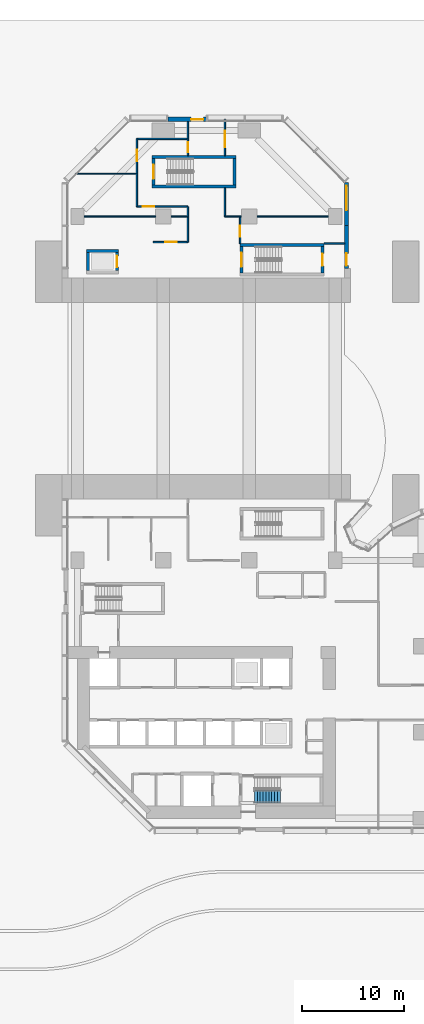
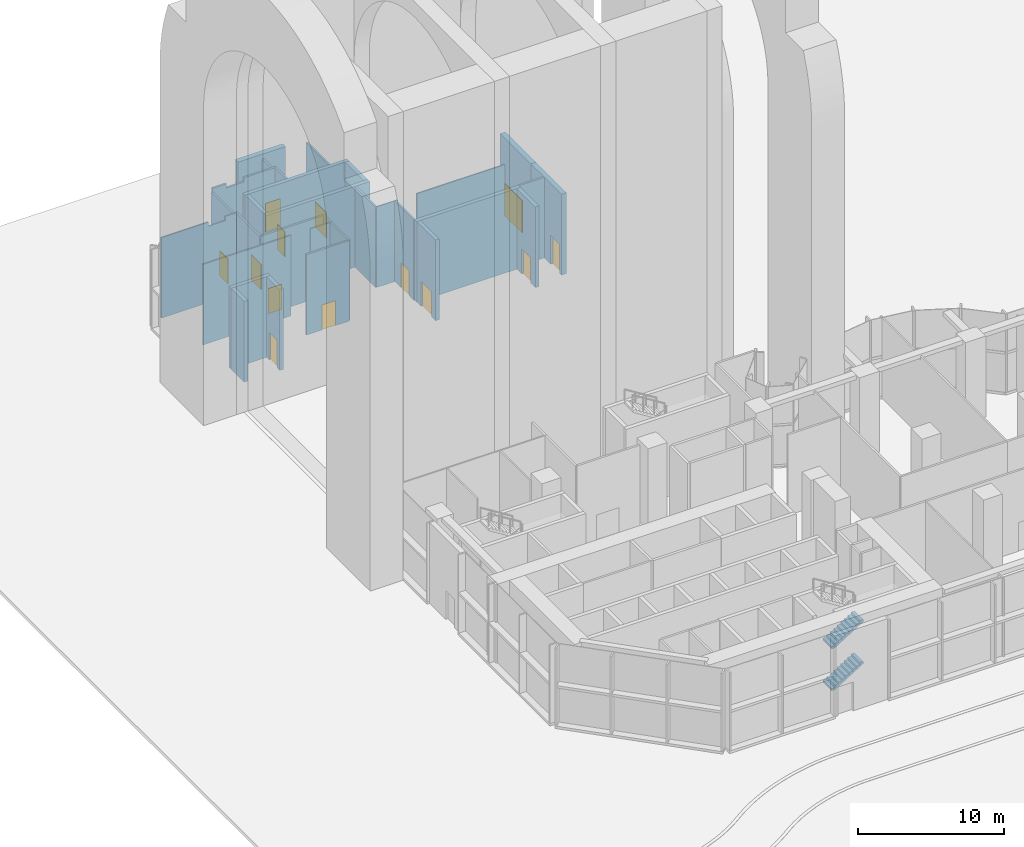
# One storey, part 13 of 21: 31 walls, 13 doors, 2 stair flights, 13 openings, 1 element without a shape of its own.
"""IFC4 building model written with IfcOpenShell, lengths in metres."""

from ifc_helpers import new_model, si_unit, direction, frame, frame_2d, origin, place, context, subcontext, project, spatial, polyline, rectangle, outline, extrude, material, layer, layer_set, type_object, element, fill, aggregate, save


model = new_model("IFC4")

# Units and contexts
model_context = context("Model", 3, precision=1e-05, world=origin(), true_north=direction((0.0, 1.0)))
body_context = subcontext(model_context, "Body", "Model", "MODEL_VIEW")
ifc_project = project(units=[si_unit("LENGTHUNIT", "METRE"), si_unit("AREAUNIT", "SQUARE_METRE"), si_unit("VOLUMEUNIT", "CUBIC_METRE"), si_unit("PLANEANGLEUNIT", "RADIAN"), si_unit("MASSUNIT", "GRAM", prefix="KILO")], contexts=[model_context])

# Site, building, storey
site_placement = place(None, origin())
site = spatial("IfcSite", under=ifc_project, at=site_placement, CompositionType="ELEMENT")
building_placement = place(site_placement, origin())
building = spatial("IfcBuilding", under=site, at=building_placement, Name="Brevane Broadcast Tower", CompositionType="ELEMENT")
storey_placement = place(building_placement, origin())
storey = spatial("IfcBuildingStorey", under=building, at=storey_placement, Name="L00", CompositionType="ELEMENT", Elevation=0.0)

# Walls
ifc_material_1 = material(Name="Concrete C80/95", Category="concrete")
ifc_layer_1 = layer(ifc_material_1, 0.300048828125)
ifc_layer_set_1 = layer_set([ifc_layer_1], Name="Core wall 300 mm C80/95")
wall_type_1 = type_object("IfcWallType", Name="Core wall 300 mm C80/95", PredefinedType="SHEAR", material=ifc_layer_set_1)
wall_1_placement = place(storey_placement, frame((0.89990234375, 55.449951171875, 0.0), z_axis=(0.0, 0.0, 1.0), x_axis=(1.0, 0.0, 0.0)))
element("IfcWall", 1, at=wall_1_placement, inside=storey, type_object=wall_type_1, Name="L00 shaft wall PL1-N", PredefinedType="SHEAR", context=body_context, shape_type="SweptSolid", body=[
    extrude(rectangle(XDim=3.10009765625, YDim=0.300048828125, at=frame_2d((1.550048828125, 0.0))), origin(), (0.0, 0.0, 1.0), 6.75),
])
wall_2_placement = place(storey_placement, frame((1.050048828125, 53.5, 0.0), z_axis=(0.0, 0.0, 1.0), x_axis=(0.0, 1.0, 0.0)))
element("IfcWall", 2, at=wall_2_placement, inside=storey, type_object=wall_type_1, Name="L00 shaft wall PL1-W", PredefinedType="SHEAR", context=body_context, shape_type="SweptSolid", body=[
    extrude(rectangle(XDim=1.800048828125, YDim=0.300048828125, at=frame_2d((0.89990234375, 0.0))), origin(), (0.0, 0.0, 1.0), 6.75),
])

# Wall, opening, door
wall_3_placement = place(storey_placement, frame((3.85009765625, 53.5, 0.0), z_axis=(0.0, 0.0, 1.0), x_axis=(0.0, 1.0, 0.0)))
wall_3 = element("IfcWall", 3, at=wall_3_placement, inside=storey, type_object=wall_type_1, Name="L00 shaft wall PL1-E", PredefinedType="SHEAR", context=body_context, shape_type="SweptSolid", body=[
    extrude(rectangle(XDim=1.800048828125, YDim=0.300048828125, at=frame_2d((0.89990234375, 0.0))), origin(), (0.0, 0.0, 1.0), 6.75),
])
opening_1_placement = place(wall_3_placement, frame((0.35009765625, 0.0, 0.0)))
opening_1 = element("IfcOpeningElement", 4, at=opening_1_placement, cuts=wall_3, Name="Opening LD", PredefinedType="OPENING", context=body_context, shape_type="SweptSolid", body=[
    extrude(rectangle(XDim=1.10009765625, YDim=2.300048828125, at=frame_2d((0.550048828125, 1.14990234375))), frame((0.0, 0.159912109375, 0.0), z_axis=(0.0, -1.0, 0.0), x_axis=(1.0, 0.0, 0.0)), (0.0, 0.0, 1.0), 0.320068359375),
])
ifc_material_2 = material(Name="Stainless steel", Category="steel")
door_type_1 = type_object("IfcDoorType", Name="Lift landing door", OperationType="SLIDING_TO_LEFT", PredefinedType="DOOR", material=ifc_material_2)
door_1_placement = place(opening_1_placement, origin())
door_1 = element("IfcDoor", 5, at=door_1_placement, inside=storey, type_object=door_type_1, Name="Landing door PL1 L00", OperationType="SLIDING_TO_LEFT", OverallHeight=2.300048828125, OverallWidth=1.10009765625, PredefinedType="DOOR", context=body_context, shape_type="SweptSolid", body=[
    extrude(rectangle(XDim=1.10009765625, YDim=2.300048828125, at=frame_2d((0.550048828125, 1.14990234375))), frame((0.0, 0.02490234375, 0.0), z_axis=(0.0, -1.0, 0.0), x_axis=(1.0, 0.0, 0.0)), (0.0, 0.0, 1.0), 0.050048828125),
])
fill(opening_1, door_1)

# Wall
wall_4_placement = place(storey_placement, frame((15.89990234375, 56.0, 0.0), z_axis=(0.0, 0.0, 1.0), x_axis=(1.0, 0.0, 0.0)))
element("IfcWall", 6, at=wall_4_placement, inside=storey, type_object=wall_type_1, Name="L00 stair wall ST-5-N", PredefinedType="SHEAR", context=body_context, shape_type="SweptSolid", body=[
    extrude(rectangle(XDim=8.2001953125, YDim=0.300048828125, at=frame_2d((4.10009765625, 0.0))), origin(), (0.0, 0.0, 1.0), 6.75),
])

# Wall, opening, door
wall_5_placement = place(storey_placement, frame((16.050048828125, 53.300048828125, 0.0), z_axis=(0.0, 0.0, 1.0), x_axis=(0.0, 1.0, 0.0)))
wall_5 = element("IfcWall", 7, at=wall_5_placement, inside=storey, type_object=wall_type_1, Name="L00 stair wall ST-5-W", PredefinedType="SHEAR", context=body_context, shape_type="SweptSolid", body=[
    extrude(rectangle(XDim=2.550048828125, YDim=0.300048828125, at=frame_2d((1.27490234375, 0.0))), origin(), (0.0, 0.0, 1.0), 6.75),
])
opening_2_placement = place(wall_5_placement, frame((0.574951171875, 0.0, 0.0)))
opening_2 = element("IfcOpeningElement", 8, at=opening_2_placement, cuts=wall_5, Name="Opening L00-K21", PredefinedType="OPENING", context=body_context, shape_type="SweptSolid", body=[
    extrude(rectangle(XDim=1.39990234375, YDim=2.10009765625, at=frame_2d((0.699951171875, 1.050048828125))), frame((0.0, 0.159912109375, 0.0), z_axis=(0.0, -1.0, 0.0), x_axis=(1.0, 0.0, 0.0)), (0.0, 0.0, 1.0), 0.320068359375),
])
ifc_material_3 = material(Name="Steel", Category="steel")
door_type_2 = type_object("IfcDoorType", Name="Stair door 1400 x 2100", OperationType="SINGLE_SWING_LEFT", PredefinedType="DOOR", material=ifc_material_3)
door_2_placement = place(opening_2_placement, origin())
door_2 = element("IfcDoor", 9, at=door_2_placement, inside=storey, type_object=door_type_2, Name="Door L00-K21", OperationType="SINGLE_SWING_RIGHT", OverallHeight=2.10009765625, OverallWidth=1.39990234375, PredefinedType="DOOR", context=body_context, shape_type="SweptSolid", body=[
    extrude(rectangle(XDim=1.39990234375, YDim=2.10009765625, at=frame_2d((0.699951171875, 1.050048828125))), frame((0.0, 0.02490234375, 0.0), z_axis=(0.0, -1.0, 0.0), x_axis=(1.0, 0.0, 0.0)), (0.0, 0.0, 1.0), 0.050048828125),
])
fill(opening_2, door_2)

wall_6_placement = place(storey_placement, frame((23.949951171875, 55.85009765625, 0.0), z_axis=(0.0, 0.0, 1.0), x_axis=(0.0, -1.0, 0.0)))
wall_6 = element("IfcWall", 10, at=wall_6_placement, inside=storey, type_object=wall_type_1, Name="L00 stair wall ST-5-E", PredefinedType="SHEAR", context=body_context, shape_type="SweptSolid", body=[
    extrude(rectangle(XDim=2.550048828125, YDim=0.300048828125, at=frame_2d((1.27490234375, 0.0))), origin(), (0.0, 0.0, 1.0), 6.75),
])
opening_3_placement = place(wall_6_placement, frame((0.675048828125, 0.0, 0.0)))
opening_3 = element("IfcOpeningElement", 11, at=opening_3_placement, cuts=wall_6, Name="Opening L00-K22", PredefinedType="OPENING", context=body_context, shape_type="SweptSolid", body=[
    extrude(rectangle(XDim=1.199951171875, YDim=2.10009765625, at=frame_2d((0.60009765625, 1.050048828125))), frame((0.0, 0.159912109375, 0.0), z_axis=(0.0, -1.0, 0.0), x_axis=(1.0, 0.0, 0.0)), (0.0, 0.0, 1.0), 0.320068359375),
])
door_type_3 = type_object("IfcDoorType", Name="Stair door 1200 x 2100", OperationType="SINGLE_SWING_LEFT", PredefinedType="DOOR", material=ifc_material_3)
door_3_placement = place(opening_3_placement, origin())
door_3 = element("IfcDoor", 12, at=door_3_placement, inside=storey, type_object=door_type_3, Name="Door L00-K22", OperationType="SINGLE_SWING_LEFT", OverallHeight=2.10009765625, OverallWidth=1.199951171875, PredefinedType="DOOR", context=body_context, shape_type="SweptSolid", body=[
    extrude(rectangle(XDim=1.199951171875, YDim=2.10009765625, at=frame_2d((0.60009765625, 1.050048828125))), frame((0.0, 0.02490234375, 0.0), z_axis=(0.0, -1.0, 0.0), x_axis=(1.0, 0.0, 0.0)), (0.0, 0.0, 1.0), 0.050048828125),
])
fill(opening_3, door_3)

# Walls
for number, where, z_axis, x_axis, name in (
    (13, (7.300048828125, 61.75, 0.0), (0.0, 0.0, 1.0), (1.0, 0.0, 0.0), "L00 stair wall ST-6-S"),
    (14, (7.300048828125, 64.60009765625, 0.0), (0.0, 0.0, 1.0), (1.0, 0.0, 0.0), "L00 stair wall ST-6-N"),
):
    element("IfcWall", number, at=place(storey_placement, frame(where, z_axis=z_axis, x_axis=x_axis)), inside=storey, type_object=wall_type_1, Name=name, PredefinedType="SHEAR", context=body_context, shape_type="SweptSolid", body=[
        extrude(rectangle(XDim=8.199951171875, YDim=0.300048828125, at=frame_2d((4.10009765625, 0.0))), origin(), (0.0, 0.0, 1.0), 6.75),
    ])

# Wall, opening, door
wall_7_placement = place(storey_placement, frame((7.449951171875, 61.89990234375, 0.0), z_axis=(0.0, 0.0, 1.0), x_axis=(0.0, 1.0, 0.0)))
wall_7 = element("IfcWall", 15, at=wall_7_placement, inside=storey, type_object=wall_type_1, Name="L00 stair wall ST-6-W", PredefinedType="SHEAR", context=body_context, shape_type="SweptSolid", body=[
    extrude(rectangle(XDim=2.550048828125, YDim=0.300048828125, at=frame_2d((1.27490234375, 0.0))), origin(), (0.0, 0.0, 1.0), 6.75),
])
opening_4_placement = place(wall_7_placement, frame((0.574951171875, 0.0, 0.0)))
opening_4 = element("IfcOpeningElement", 16, at=opening_4_placement, cuts=wall_7, Name="Opening L00-K23", PredefinedType="OPENING", context=body_context, shape_type="SweptSolid", body=[
    extrude(rectangle(XDim=1.39990234375, YDim=2.10009765625, at=frame_2d((0.699951171875, 1.050048828125))), frame((0.0, 0.159912109375, 0.0), z_axis=(0.0, -1.0, 0.0), x_axis=(1.0, 0.0, 0.0)), (0.0, 0.0, 1.0), 0.320068359375),
])
door_4_placement = place(opening_4_placement, origin())
door_4 = element("IfcDoor", 17, at=door_4_placement, inside=storey, type_object=door_type_2, Name="Door L00-K23", OperationType="SINGLE_SWING_RIGHT", OverallHeight=2.10009765625, OverallWidth=1.39990234375, PredefinedType="DOOR", context=body_context, shape_type="SweptSolid", body=[
    extrude(rectangle(XDim=1.39990234375, YDim=2.10009765625, at=frame_2d((0.699951171875, 1.050048828125))), frame((0.0, 0.02490234375, 0.0), z_axis=(0.0, -1.0, 0.0), x_axis=(1.0, 0.0, 0.0)), (0.0, 0.0, 1.0), 0.050048828125),
])
fill(opening_4, door_4)

# Wall
wall_8_placement = place(storey_placement, frame((15.35009765625, 61.89990234375, 0.0), z_axis=(0.0, 0.0, 1.0), x_axis=(0.0, 1.0, 0.0)))
element("IfcWall", 18, at=wall_8_placement, inside=storey, type_object=wall_type_1, Name="L00 stair wall ST-6-E", PredefinedType="SHEAR", context=body_context, shape_type="SweptSolid", body=[
    extrude(rectangle(XDim=2.550048828125, YDim=0.300048828125, at=frame_2d((1.27490234375, 0.0))), origin(), (0.0, 0.0, 1.0), 6.75),
])

# Wall, opening, door
ifc_material_4 = material(Name="Concrete C40/50", Category="concrete")
ifc_layer_2 = layer(ifc_material_4, 0.39990234375)
ifc_layer_set_2 = layer_set([ifc_layer_2], Name="Entrance portal wall 400")
wall_type_2 = type_object("IfcWallType", Name="Entrance portal wall 400", PredefinedType="SOLIDWALL", material=ifc_layer_set_2)
wall_9_placement = place(storey_placement, frame((26.300048828125, 62.10009765625, 0.0), z_axis=(0.0, 0.0, 1.0), x_axis=(0.0, -1.0, 0.0)))
wall_9 = element("IfcWall", 19, at=wall_9_placement, inside=storey, type_object=wall_type_2, Name="Portal wall studio entrance", PredefinedType="SOLIDWALL", context=body_context, shape_type="SweptSolid", body=[
    extrude(rectangle(XDim=4.2001953125, YDim=0.39990234375, at=frame_2d((2.10009765625, 0.0))), origin(), (0.0, 0.0, 1.0), 6.75),
])
opening_5_placement = place(wall_9_placement, frame((0.300048828125, 0.0, 0.0)))
opening_5 = element("IfcOpeningElement", 20, at=opening_5_placement, cuts=wall_9, Name="Opening EX07", PredefinedType="OPENING", context=body_context, shape_type="SweptSolid", body=[
    extrude(rectangle(XDim=2.39990234375, YDim=2.699951171875, at=frame_2d((1.199951171875, 1.35009765625))), frame((0.0, 0.2099609375, 0.0), z_axis=(0.0, -1.0, 0.0), x_axis=(1.0, 0.0, 0.0)), (0.0, 0.0, 1.0), 0.419921875),
])
ifc_material_5 = material(Name="Aluminium bronze anodised and laminated glass", Category="aluminium")
door_type_4 = type_object("IfcDoorType", Name="Studio entrance door 2400x2700", OperationType="DOUBLE_DOOR_SINGLE_SWING", PredefinedType="DOOR", material=ifc_material_5)
door_5_placement = place(opening_5_placement, origin())
door_5 = element("IfcDoor", 21, at=door_5_placement, inside=storey, type_object=door_type_4, Name="Studio entrance", OperationType="DOUBLE_DOOR_SINGLE_SWING", OverallHeight=2.699951171875, OverallWidth=2.39990234375, PredefinedType="DOOR", context=body_context, shape_type="SweptSolid", body=[
    extrude(rectangle(XDim=2.39990234375, YDim=2.699951171875, at=frame_2d((1.199951171875, 1.35009765625))), frame((0.0, 0.02490234375, 0.0), z_axis=(0.0, -1.0, 0.0), x_axis=(1.0, 0.0, 0.0)), (0.0, 0.0, 1.0), 0.050048828125),
])
fill(opening_5, door_5)

wall_10_placement = place(storey_placement, frame((26.300048828125, 57.89990234375, 0.0), z_axis=(0.0, 0.0, 1.0), x_axis=(0.0, -1.0, 0.0)))
wall_10 = element("IfcWall", 22, at=wall_10_placement, inside=storey, type_object=wall_type_2, Name="Portal wall stair exit", PredefinedType="SOLIDWALL", context=body_context, shape_type="SweptSolid", body=[
    extrude(rectangle(XDim=4.199951171875, YDim=0.39990234375, at=frame_2d((2.10009765625, 0.0))), origin(), (0.0, 0.0, 1.0), 6.75),
])
opening_6_placement = place(wall_10_placement, frame((2.699951171875, 0.0, 0.0)))
opening_6 = element("IfcOpeningElement", 23, at=opening_6_placement, cuts=wall_10, Name="Opening EX08", PredefinedType="OPENING", context=body_context, shape_type="SweptSolid", body=[
    extrude(rectangle(XDim=1.199951171875, YDim=2.39990234375, at=frame_2d((0.60009765625, 1.199951171875))), frame((0.0, 0.2099609375, 0.0), z_axis=(0.0, -1.0, 0.0), x_axis=(1.0, 0.0, 0.0)), (0.0, 0.0, 1.0), 0.419921875),
])
door_type_5 = type_object("IfcDoorType", Name="Stair exit door 1200x2400", OperationType="SINGLE_SWING_LEFT", PredefinedType="DOOR", material=ifc_material_5)
door_6_placement = place(opening_6_placement, origin())
door_6 = element("IfcDoor", 24, at=door_6_placement, inside=storey, type_object=door_type_5, Name="Stair exit", OperationType="SINGLE_SWING_LEFT", OverallHeight=2.39990234375, OverallWidth=1.199951171875, PredefinedType="DOOR", context=body_context, shape_type="SweptSolid", body=[
    extrude(rectangle(XDim=1.199951171875, YDim=2.39990234375, at=frame_2d((0.60009765625, 1.199951171875))), frame((0.0, 0.02490234375, 0.0), z_axis=(0.0, -1.0, 0.0), x_axis=(1.0, 0.0, 0.0)), (0.0, 0.0, 1.0), 0.050048828125),
])
fill(opening_6, door_6)

wall_11_placement = place(storey_placement, frame((8.85009765625, 68.300048828125, 0.0), z_axis=(0.0, 0.0, 1.0), x_axis=(1.0, 0.0, 0.0)))
wall_11 = element("IfcWall", 25, at=wall_11_placement, inside=storey, type_object=wall_type_2, Name="Portal wall stair exit", PredefinedType="SOLIDWALL", context=body_context, shape_type="SweptSolid", body=[
    extrude(rectangle(XDim=3.75, YDim=0.39990234375, at=frame_2d((1.875, 0.0))), origin(), (0.0, 0.0, 1.0), 6.75),
])
opening_7_placement = place(wall_11_placement, frame((2.25, 0.0, 0.0)))
opening_7 = element("IfcOpeningElement", 26, at=opening_7_placement, cuts=wall_11, Name="Opening EX09", PredefinedType="OPENING", context=body_context, shape_type="SweptSolid", body=[
    extrude(rectangle(XDim=1.199951171875, YDim=2.39990234375, at=frame_2d((0.60009765625, 1.199951171875))), frame((0.0, 0.2099609375, 0.0), z_axis=(0.0, -1.0, 0.0), x_axis=(1.0, 0.0, 0.0)), (0.0, 0.0, 1.0), 0.419921875),
])
door_7_placement = place(opening_7_placement, origin())
door_7 = element("IfcDoor", 27, at=door_7_placement, inside=storey, type_object=door_type_5, Name="Stair exit", OperationType="SINGLE_SWING_LEFT", OverallHeight=2.39990234375, OverallWidth=1.199951171875, PredefinedType="DOOR", context=body_context, shape_type="SweptSolid", body=[
    extrude(rectangle(XDim=1.199951171875, YDim=2.39990234375, at=frame_2d((0.60009765625, 1.199951171875))), frame((0.0, 0.02490234375, 0.0), z_axis=(0.0, -1.0, 0.0), x_axis=(1.0, 0.0, 0.0)), (0.0, 0.0, 1.0), 0.050048828125),
])
fill(opening_7, door_7)

# Walls
ifc_material_6 = material(Name="Gypsum board partition")
ifc_layer_3 = layer(ifc_material_6, 0.10009765625)
ifc_layer_set_3 = layer_set([ifc_layer_3], Name="PARTITION 100 STUD")
wall_type_3 = type_object("IfcWallType", Name="PARTITION 100 STUD", PredefinedType="PARTITIONING", material=ifc_layer_set_3)
wall_12_placement = place(storey_placement, frame((0.669921875, 58.800048828125, 0.0), z_axis=(0.0, 0.0, 1.0), x_axis=(1.0, 0.0, 0.0)))
element("IfcWall", 28, at=wall_12_placement, inside=storey, type_object=wall_type_3, Name="Partition P0-054", PredefinedType="PARTITIONING", context=body_context, shape_type="SweptSolid", body=[
    extrude(rectangle(XDim=6.9599609375, YDim=0.10009765625, at=frame_2d((3.47998046875, 0.0))), origin(), (0.0, 0.0, 1.0), 6.72998046875),
])
wall_13_placement = place(storey_placement, frame((9.169921875, 58.800048828125, 0.0), z_axis=(0.0, 0.0, 1.0), x_axis=(1.0, 0.0, 0.0)))
element("IfcWall", 29, at=wall_13_placement, inside=storey, type_object=wall_type_3, Name="Partition P0-055", PredefinedType="PARTITIONING", context=body_context, shape_type="SweptSolid", body=[
    extrude(rectangle(XDim=1.630126953125, YDim=0.10009765625, at=frame_2d((0.81494140625, 0.0))), origin(), (0.0, 0.0, 1.0), 6.72998046875),
])
wall_14_placement = place(storey_placement, frame((-0.199951171875, 63.0, 0.0), z_axis=(0.0, 0.0, 1.0), x_axis=(1.0, 0.0, 0.0)))
element("IfcWall", 30, at=wall_14_placement, inside=storey, type_object=wall_type_3, Name="Partition P0-056", PredefinedType="PARTITIONING", context=body_context, shape_type="SweptSolid", body=[
    extrude(outline(polyline([(0.0, 0.0), (6.0, 0.0), (6.0, 6.72998046875), (5.065673828125, 6.72998046875), (5.063720703125, 6.3798828125), (3.736328125, 6.3798828125), (3.734375, 6.72998046875), (0.0, 6.72998046875), (0.0, 0.0)])), frame((0.0, 0.050048828125, 0.0), z_axis=(0.0, -1.0, 0.0), x_axis=(1.0, 0.0, 0.0)), (0.0, 0.0, 1.0), 0.10009765625),
])
wall_15_placement = place(storey_placement, frame((14.39990234375, 58.800048828125, 0.0), z_axis=(0.0, 0.0, 1.0), x_axis=(1.0, 0.0, 0.0)))
element("IfcWall", 31, at=wall_15_placement, inside=storey, type_object=wall_type_3, Name="Partition P0-058", PredefinedType="PARTITIONING", context=body_context, shape_type="SweptSolid", body=[
    extrude(rectangle(XDim=1.630126953125, YDim=0.10009765625, at=frame_2d((0.81494140625, 0.0))), origin(), (0.0, 0.0, 1.0), 6.72998046875),
])
wall_16_placement = place(storey_placement, frame((17.570068359375, 58.800048828125, 0.0), z_axis=(0.0, 0.0, 1.0), x_axis=(1.0, 0.0, 0.0)))
element("IfcWall", 32, at=wall_16_placement, inside=storey, type_object=wall_type_3, Name="Partition P0-059", PredefinedType="PARTITIONING", context=body_context, shape_type="SweptSolid", body=[
    extrude(rectangle(XDim=6.9599609375, YDim=0.10009765625, at=frame_2d((3.47998046875, 0.0))), origin(), (0.0, 0.0, 1.0), 6.72998046875),
])
ifc_layer_4 = layer(ifc_material_6, 0.14990234375)
ifc_layer_set_4 = layer_set([ifc_layer_4], Name="PARTITION 150 EI 60")
wall_type_4 = type_object("IfcWallType", Name="PARTITION 150 EI 60", PredefinedType="PARTITIONING", material=ifc_layer_set_4)
wall_17_placement = place(storey_placement, frame((24.10009765625, 56.14990234375, 0.0), z_axis=(0.0, 0.0, 1.0), x_axis=(1.0, 0.0, 0.0)))
element("IfcWall", 33, at=wall_17_placement, inside=storey, type_object=wall_type_4, Name="Partition P0-001", PredefinedType="PARTITIONING", context=body_context, shape_type="SweptSolid", body=[
    extrude(rectangle(XDim=2.0, YDim=0.14990234375, at=frame_2d((1.0, 0.0))), origin(), (0.0, 0.0, 1.0), 6.72998046875),
])
wall_18_placement = place(storey_placement, frame((10.800048828125, 56.300048828125, 0.0), z_axis=(0.0, 0.0, 1.0), x_axis=(0.0, 1.0, 0.0)))
element("IfcWall", 34, at=wall_18_placement, inside=storey, type_object=wall_type_4, Name="Partition P0-040", PredefinedType="PARTITIONING", context=body_context, shape_type="SweptSolid", body=[
    extrude(rectangle(XDim=2.5, YDim=0.14990234375, at=frame_2d((1.25, 0.0))), origin(), (0.0, 0.0, 1.0), 6.72998046875),
])

# Wall, opening, door
wall_19_placement = place(storey_placement, frame((15.89990234375, 58.800048828125, 0.0), z_axis=(0.0, 0.0, 1.0), x_axis=(0.0, -1.0, 0.0)))
wall_19 = element("IfcWall", 35, at=wall_19_placement, inside=storey, type_object=wall_type_4, Name="Partition P0-041", PredefinedType="PARTITIONING", context=body_context, shape_type="SweptSolid", body=[
    extrude(rectangle(XDim=2.650146484375, YDim=0.14990234375, at=frame_2d((1.3251953125, 0.0))), origin(), (0.0, 0.0, 1.0), 6.72998046875),
])
opening_8_placement = place(wall_19_placement, frame((0.89990234375, 0.0, 0.0)))
opening_8 = element("IfcOpeningElement", 36, at=opening_8_placement, cuts=wall_19, Name="Opening D01-023", PredefinedType="OPENING", context=body_context, shape_type="SweptSolid", body=[
    extrude(rectangle(XDim=1.10009765625, YDim=2.10009765625, at=frame_2d((0.550048828125, 1.050048828125))), frame((0.0, 0.0849609375, 0.0), z_axis=(0.0, -1.0, 0.0), x_axis=(1.0, 0.0, 0.0)), (0.0, 0.0, 1.0), 0.169921875),
])
ifc_material_7 = material(Name="Fire-rated timber door leaf", Category="wood")
door_type_6 = type_object("IfcDoorType", Name="DOOR SINGLE 1100 FD30S", OperationType="SINGLE_SWING_LEFT", PredefinedType="DOOR", material=ifc_material_7)
door_8_placement = place(opening_8_placement, origin())
door_8 = element("IfcDoor", 37, at=door_8_placement, inside=storey, type_object=door_type_6, Name="Door D01-023", OperationType="SINGLE_SWING_LEFT", OverallHeight=2.10009765625, OverallWidth=1.10009765625, PredefinedType="DOOR", context=body_context, shape_type="SweptSolid", body=[
    extrude(rectangle(XDim=1.10009765625, YDim=2.10009765625, at=frame_2d((0.550048828125, 1.050048828125))), frame((0.0, 0.02490234375, 0.0), z_axis=(0.0, -1.0, 0.0), x_axis=(1.0, 0.0, 0.0)), (0.0, 0.0, 1.0), 0.050048828125),
])
fill(opening_8, door_8)

wall_20_placement = place(storey_placement, frame((10.800048828125, 59.77490234375, 0.0), z_axis=(0.0, 0.0, 1.0), x_axis=(-1.0, 0.0, 0.0)))
wall_20 = element("IfcWall", 38, at=wall_20_placement, inside=storey, type_object=wall_type_4, Name="Partition P0-042", PredefinedType="PARTITIONING", context=body_context, shape_type="SweptSolid", body=[
    extrude(rectangle(XDim=5.0, YDim=0.14990234375, at=frame_2d((2.5, 0.0))), origin(), (0.0, 0.0, 1.0), 6.72998046875),
])
opening_9_placement = place(wall_20_placement, frame((3.300048828125, 0.0, 0.0)))
opening_9 = element("IfcOpeningElement", 39, at=opening_9_placement, cuts=wall_20, Name="Opening D01-021", PredefinedType="OPENING", context=body_context, shape_type="SweptSolid", body=[
    extrude(rectangle(XDim=1.10009765625, YDim=2.10009765625, at=frame_2d((0.550048828125, 1.050048828125))), frame((0.0, 0.0849609375, 0.0), z_axis=(0.0, -1.0, 0.0), x_axis=(1.0, 0.0, 0.0)), (0.0, 0.0, 1.0), 0.169921875),
])
door_9_placement = place(opening_9_placement, origin())
door_9 = element("IfcDoor", 40, at=door_9_placement, inside=storey, type_object=door_type_6, Name="Door D01-021", OperationType="SINGLE_SWING_LEFT", OverallHeight=2.10009765625, OverallWidth=1.10009765625, PredefinedType="DOOR", context=body_context, shape_type="SweptSolid", body=[
    extrude(rectangle(XDim=1.10009765625, YDim=2.10009765625, at=frame_2d((0.550048828125, 1.050048828125))), frame((0.0, 0.02490234375, 0.0), z_axis=(0.0, -1.0, 0.0), x_axis=(1.0, 0.0, 0.0)), (0.0, 0.0, 1.0), 0.050048828125),
])
fill(opening_9, door_9)

# Wall
wall_21_placement = place(storey_placement, frame((5.800048828125, 59.77490234375, 0.0), z_axis=(0.0, 0.0, 1.0), x_axis=(0.0, 1.0, 0.0)))
element("IfcWall", 41, at=wall_21_placement, inside=storey, type_object=wall_type_4, Name="Partition P0-043", PredefinedType="PARTITIONING", context=body_context, shape_type="SweptSolid", body=[
    extrude(rectangle(XDim=3.22509765625, YDim=0.14990234375, at=frame_2d((1.612548828125, 0.0))), origin(), (0.0, 0.0, 1.0), 6.72998046875),
])

# Wall, opening, door
wall_22_placement = place(storey_placement, frame((5.800048828125, 63.0, 0.0), z_axis=(0.0, 0.0, 1.0), x_axis=(0.0, 1.0, 0.0)))
wall_22 = element("IfcWall", 42, at=wall_22_placement, inside=storey, type_object=wall_type_4, Name="Partition P0-044", PredefinedType="PARTITIONING", context=body_context, shape_type="SweptSolid", body=[
    extrude(rectangle(XDim=3.375, YDim=0.14990234375, at=frame_2d((1.6875, 0.0))), origin(), (0.0, 0.0, 1.0), 6.3798828125),
])
opening_10_placement = place(wall_22_placement, frame((1.199951171875, 0.0, 0.0)))
opening_10 = element("IfcOpeningElement", 43, at=opening_10_placement, cuts=wall_22, Name="Opening D01-022", PredefinedType="OPENING", context=body_context, shape_type="SweptSolid", body=[
    extrude(rectangle(XDim=1.10009765625, YDim=2.10009765625, at=frame_2d((0.550048828125, 1.050048828125))), frame((0.0, 0.0849609375, 0.0), z_axis=(0.0, -1.0, 0.0), x_axis=(1.0, 0.0, 0.0)), (0.0, 0.0, 1.0), 0.169921875),
])
door_10_placement = place(opening_10_placement, origin())
door_10 = element("IfcDoor", 44, at=door_10_placement, inside=storey, type_object=door_type_6, Name="Door D01-022", OperationType="SINGLE_SWING_LEFT", OverallHeight=2.10009765625, OverallWidth=1.10009765625, PredefinedType="DOOR", context=body_context, shape_type="SweptSolid", body=[
    extrude(rectangle(XDim=1.10009765625, YDim=2.10009765625, at=frame_2d((0.550048828125, 1.050048828125))), frame((0.0, 0.02490234375, 0.0), z_axis=(0.0, -1.0, 0.0), x_axis=(1.0, 0.0, 0.0)), (0.0, 0.0, 1.0), 0.050048828125),
])
fill(opening_10, door_10)

# Wall
wall_23_placement = place(storey_placement, frame((5.800048828125, 66.375, 0.0), z_axis=(0.0, 0.0, 1.0), x_axis=(1.0, 0.0, 0.0)))
element("IfcWall", 45, at=wall_23_placement, inside=storey, type_object=wall_type_4, Name="Partition P0-045", PredefinedType="PARTITIONING", context=body_context, shape_type="SweptSolid", body=[
    extrude(outline(polyline([(0.0, 0.0), (5.0, 0.0), (5.0, 6.72998046875), (2.465576171875, 6.72998046875), (2.463623046875, 6.3798828125), (1.08642578125, 6.3798828125), (1.084228515625, 6.72998046875), (0.0, 6.72998046875), (0.0, 0.0)])), frame((0.0, 0.074951171875, 0.0), z_axis=(0.0, -1.0, 0.0), x_axis=(1.0, 0.0, 0.0)), (0.0, 0.0, 1.0), 0.14990234375),
])

# Wall, opening, door
wall_24_placement = place(storey_placement, frame((7.39990234375, 56.300048828125, 0.0), z_axis=(0.0, 0.0, 1.0), x_axis=(1.0, 0.0, 0.0)))
wall_24 = element("IfcWall", 46, at=wall_24_placement, inside=storey, type_object=wall_type_4, Name="Partition P0-046", PredefinedType="PARTITIONING", context=body_context, shape_type="SweptSolid", body=[
    extrude(rectangle(XDim=3.400146484375, YDim=0.14990234375, at=frame_2d((1.7001953125, 0.0))), origin(), (0.0, 0.0, 1.0), 6.72998046875),
])
opening_11_placement = place(wall_24_placement, frame((1.199951171875, 0.0, 0.0)))
opening_11 = element("IfcOpeningElement", 47, at=opening_11_placement, cuts=wall_24, Name="Opening D01-020", PredefinedType="OPENING", context=body_context, shape_type="SweptSolid", body=[
    extrude(rectangle(XDim=1.10009765625, YDim=2.10009765625, at=frame_2d((0.550048828125, 1.050048828125))), frame((0.0, 0.0849609375, 0.0), z_axis=(0.0, -1.0, 0.0), x_axis=(1.0, 0.0, 0.0)), (0.0, 0.0, 1.0), 0.169921875),
])
door_11_placement = place(opening_11_placement, origin())
door_11 = element("IfcDoor", 48, at=door_11_placement, inside=storey, type_object=door_type_6, Name="Door D01-020", OperationType="SINGLE_SWING_LEFT", OverallHeight=2.10009765625, OverallWidth=1.10009765625, PredefinedType="DOOR", context=body_context, shape_type="SweptSolid", body=[
    extrude(rectangle(XDim=1.10009765625, YDim=2.10009765625, at=frame_2d((0.550048828125, 1.050048828125))), frame((0.0, 0.02490234375, 0.0), z_axis=(0.0, -1.0, 0.0), x_axis=(1.0, 0.0, 0.0)), (0.0, 0.0, 1.0), 0.050048828125),
])
fill(opening_11, door_11)

# Wall
wall_25_placement = place(storey_placement, frame((10.800048828125, 66.375, 0.0), z_axis=(0.0, 0.0, 1.0), x_axis=(0.0, 1.0, 0.0)))
element("IfcWall", 49, at=wall_25_placement, inside=storey, type_object=wall_type_4, Name="Partition P0-047", PredefinedType="PARTITIONING", context=body_context, shape_type="SweptSolid", body=[
    extrude(rectangle(XDim=1.705078125, YDim=0.14990234375, at=frame_2d((0.8525390625, 0.0))), origin(), (0.0, 0.0, 1.0), 6.3798828125),
])

# Wall, opening, door
wall_26_placement = place(storey_placement, frame((14.39990234375, 68.280029296875, 0.0), z_axis=(0.0, 0.0, 1.0), x_axis=(0.0, -1.0, 0.0)))
wall_26 = element("IfcWall", 50, at=wall_26_placement, inside=storey, type_object=wall_type_4, Name="Partition P0-048", PredefinedType="PARTITIONING", context=body_context, shape_type="SweptSolid", body=[
    extrude(rectangle(XDim=3.530029296875, YDim=0.14990234375, at=frame_2d((1.76513671875, 0.0))), origin(), (0.0, 0.0, 1.0), 6.3798828125),
])
opening_12_placement = place(wall_26_placement, frame((1.10009765625, 0.0, 0.0)))
opening_12 = element("IfcOpeningElement", 51, at=opening_12_placement, cuts=wall_26, Name="Opening D01-024", PredefinedType="OPENING", context=body_context, shape_type="SweptSolid", body=[
    extrude(rectangle(XDim=1.60009765625, YDim=2.10009765625, at=frame_2d((0.800048828125, 1.050048828125))), frame((0.0, 0.0849609375, 0.0), z_axis=(0.0, -1.0, 0.0), x_axis=(1.0, 0.0, 0.0)), (0.0, 0.0, 1.0), 0.169921875),
])
door_type_7 = type_object("IfcDoorType", Name="DOOR DOUBLE 1600 FD30S", OperationType="DOUBLE_DOOR_SINGLE_SWING", PredefinedType="DOOR", material=ifc_material_7)
door_12_placement = place(opening_12_placement, origin())
door_12 = element("IfcDoor", 52, at=door_12_placement, inside=storey, type_object=door_type_7, Name="Door D01-024", OperationType="DOUBLE_DOOR_SINGLE_SWING", OverallHeight=2.10009765625, OverallWidth=1.60009765625, PredefinedType="DOOR", context=body_context, shape_type="SweptSolid", body=[
    extrude(rectangle(XDim=1.60009765625, YDim=2.10009765625, at=frame_2d((0.800048828125, 1.050048828125))), frame((0.0, 0.02490234375, 0.0), z_axis=(0.0, -1.0, 0.0), x_axis=(1.0, 0.0, 0.0)), (0.0, 0.0, 1.0), 0.050048828125),
])
fill(opening_12, door_12)

# Walls
wall_27_placement = place(storey_placement, frame((10.800048828125, 59.77490234375, 0.0), z_axis=(0.0, 0.0, 1.0), x_axis=(0.0, -1.0, 0.0)))
element("IfcWall", 53, at=wall_27_placement, inside=storey, type_object=wall_type_4, Name="Partition P0-057", PredefinedType="PARTITIONING", context=body_context, shape_type="SweptSolid", body=[
    extrude(rectangle(XDim=0.974853515625, YDim=0.14990234375, at=frame_2d((0.4873046875, 0.0))), origin(), (0.0, 0.0, 1.0), 6.72998046875),
])
wall_28_placement = place(storey_placement, frame((14.39990234375, 58.800048828125, 0.0), z_axis=(0.0, 0.0, 1.0), x_axis=(0.0, 1.0, 0.0)))
element("IfcWall", 54, at=wall_28_placement, inside=storey, type_object=wall_type_4, Name="Partition P0-060", PredefinedType="PARTITIONING", context=body_context, shape_type="SweptSolid", body=[
    extrude(rectangle(XDim=2.800048828125, YDim=0.14990234375, at=frame_2d((1.39990234375, 0.0))), origin(), (0.0, 0.0, 1.0), 6.72998046875),
])

# Wall, opening, door
wall_29_placement = place(storey_placement, frame((10.800048828125, 66.3798828125, 0.0), z_axis=(0.0, 0.0, 1.0), x_axis=(0.0, -1.0, 0.0)))
wall_29 = element("IfcWall", 55, at=wall_29_placement, inside=storey, type_object=wall_type_4, Name="Partition ST-6 lobby", PredefinedType="PARTITIONING", context=body_context, shape_type="SweptSolid", body=[
    extrude(rectangle(XDim=1.6298828125, YDim=0.14990234375, at=frame_2d((0.81494140625, 0.0))), origin(), (0.0, 0.0, 1.0), 6.72998046875),
])
opening_13_placement = place(wall_29_placement, frame((0.31494140625, 0.0, 0.0)))
opening_13 = element("IfcOpeningElement", 56, at=opening_13_placement, cuts=wall_29, Name="Opening D01-026", PredefinedType="OPENING", context=body_context, shape_type="SweptSolid", body=[
    extrude(rectangle(XDim=1.0, YDim=2.10009765625, at=frame_2d((0.5, 1.050048828125))), frame((0.0, 0.0849609375, 0.0), z_axis=(0.0, -1.0, 0.0), x_axis=(1.0, 0.0, 0.0)), (0.0, 0.0, 1.0), 0.169921875),
])
door_type_8 = type_object("IfcDoorType", Name="DOOR SINGLE 1000 FD30S", OperationType="SINGLE_SWING_LEFT", PredefinedType="DOOR", material=ifc_material_7)
door_13_placement = place(opening_13_placement, origin())
door_13 = element("IfcDoor", 57, at=door_13_placement, inside=storey, type_object=door_type_8, Name="Door D01-026", OperationType="SINGLE_SWING_RIGHT", OverallHeight=2.10009765625, OverallWidth=1.0, PredefinedType="DOOR", context=body_context, shape_type="SweptSolid", body=[
    extrude(rectangle(XDim=1.0, YDim=2.10009765625, at=frame_2d((0.5, 1.050048828125))), frame((0.0, 0.02490234375, 0.0), z_axis=(0.0, -1.0, 0.0), x_axis=(1.0, 0.0, 0.0)), (0.0, 0.0, 1.0), 0.050048828125),
])
fill(opening_13, door_13)

# Stair, stair flights
ifc_material_8 = material(Name="Concrete C50/60", Category="concrete")
stair_type = type_object("IfcStairType", Name="Exit stair 40 risers", PredefinedType="HALF_TURN_STAIR", material=ifc_material_8)
stair_placement = place(storey_placement, origin())
stair = element("IfcStair", 58, at=stair_placement, inside=storey, type_object=stair_type, Name="L00 Exit stair ST-2", PredefinedType="HALF_TURN_STAIR")
stair_flight_type = type_object("IfcStairFlightType", Name="Exit stair flight 40 risers", PredefinedType="STRAIGHT", material=ifc_material_8)
stair_flight_1_placement = place(storey_placement, frame((17.300048828125, 2.10009765625, 0.0), z_axis=(0.0, 0.0, 1.0), x_axis=(1.0, 0.0, 0.0)))
stair_flight_1 = element("IfcStairFlight", 59, at=stair_flight_1_placement, type_object=stair_flight_type, Name="ST-2 flight 1", NumberOfRisers=10, NumberOfTreads=9, PredefinedType="STRAIGHT", RiserHeight=0.175, TreadLength=0.28, context=body_context, shape_type="SweptSolid", body=[
    extrude(outline(polyline([(0.0, 0.0), (0.0, 0.175048828125), (0.280029296875, 0.175048828125), (0.280029296875, 0.35009765625), (0.56005859375, 0.35009765625), (0.56005859375, 0.52490234375), (0.840087890625, 0.52490234375), (0.840087890625, 0.699951171875), (1.1201171875, 0.699951171875), (1.1201171875, 0.875), (1.39990234375, 0.875), (1.39990234375, 1.050048828125), (1.679931640625, 1.050048828125), (1.679931640625, 1.22509765625), (1.9599609375, 1.22509765625), (1.9599609375, 1.39990234375), (2.239990234375, 1.39990234375), (2.239990234375, 1.574951171875), (2.52001953125, 1.574951171875), (2.52001953125, 1.75), (2.52001953125, 1.398193359375), (0.28271484375, 0.0), (0.0, 0.0)])), frame((0.0, 0.60009765625, 0.0), z_axis=(0.0, -1.0, 0.0), x_axis=(1.0, 0.0, 0.0)), (0.0, 0.0, 1.0), 1.199951171875),
])
stair_flight_2_placement = place(storey_placement, frame((17.300048828125, 2.10009765625, 3.5), z_axis=(0.0, 0.0, 1.0), x_axis=(1.0, 0.0, 0.0)))
stair_flight_2 = element("IfcStairFlight", 60, at=stair_flight_2_placement, type_object=stair_flight_type, Name="ST-2 flight 3", NumberOfRisers=10, NumberOfTreads=9, PredefinedType="STRAIGHT", RiserHeight=0.175, TreadLength=0.28, context=body_context, shape_type="SweptSolid", body=[
    extrude(outline(polyline([(0.0, 0.0), (0.0, 0.175048828125), (0.280029296875, 0.175048828125), (0.280029296875, 0.35009765625), (0.56005859375, 0.35009765625), (0.56005859375, 0.52490234375), (0.840087890625, 0.52490234375), (0.840087890625, 0.699951171875), (1.1201171875, 0.699951171875), (1.1201171875, 0.875), (1.39990234375, 0.875), (1.39990234375, 1.050048828125), (1.679931640625, 1.050048828125), (1.679931640625, 1.22509765625), (1.9599609375, 1.22509765625), (1.9599609375, 1.39990234375), (2.239990234375, 1.39990234375), (2.239990234375, 1.574951171875), (2.52001953125, 1.574951171875), (2.52001953125, 1.75), (2.52001953125, 1.398193359375), (0.28271484375, 0.0), (0.0, 0.0)])), frame((0.0, 0.60009765625, 0.0), z_axis=(0.0, -1.0, 0.0), x_axis=(1.0, 0.0, 0.0)), (0.0, 0.0, 1.0), 1.199951171875),
])
aggregate(stair, [stair_flight_1, stair_flight_2])

save(model, "model.ifc")
